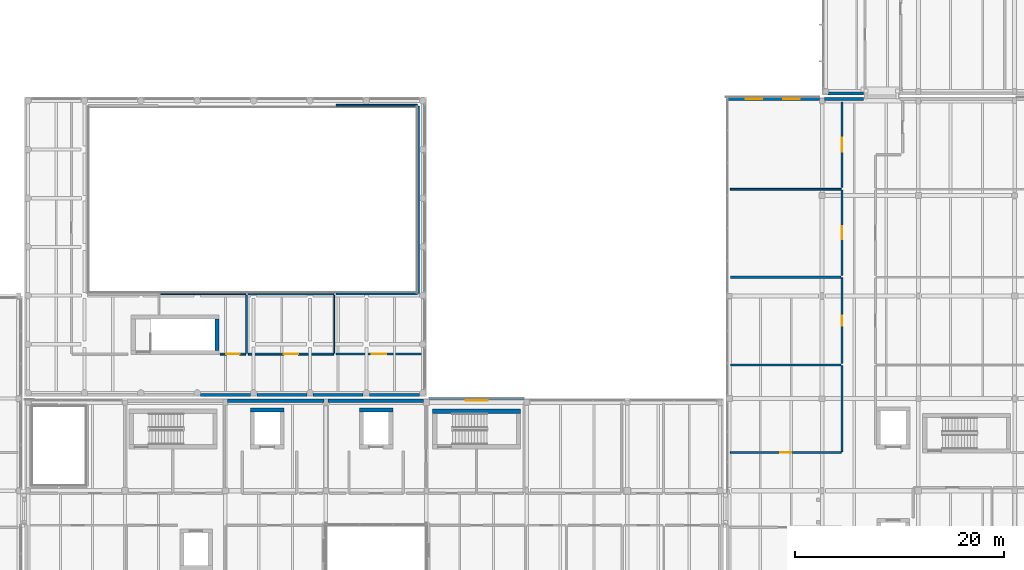
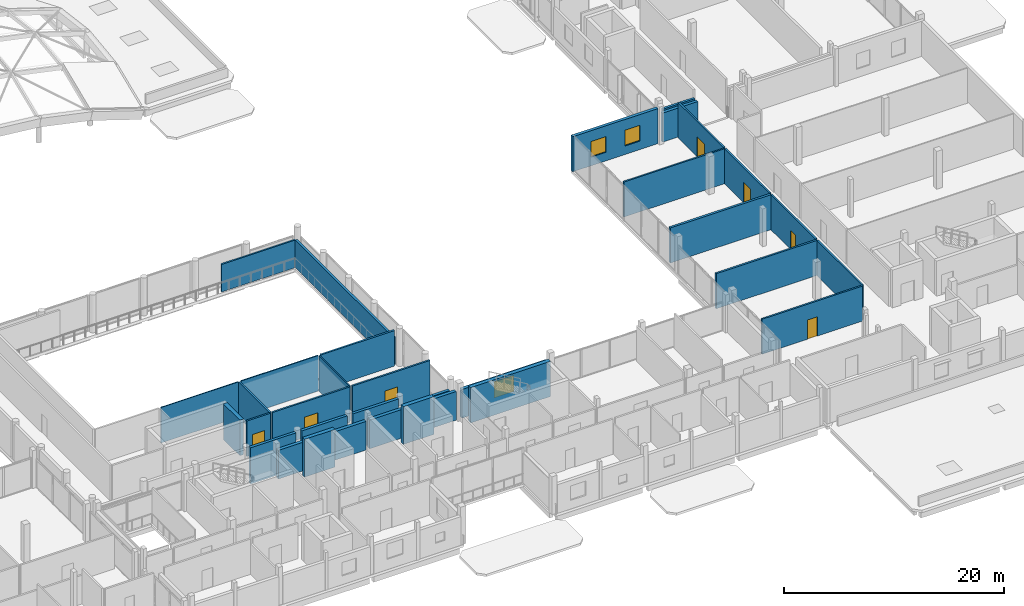
# One storey, part 45 of 66: 32 walls, 7 doors, 3 windows, 10 openings.
"""IFC4 building model written with IfcOpenShell, lengths in metres."""

from ifc_helpers import new_model, si_unit, direction, frame, frame_2d, origin, place, context, subcontext, project, spatial, rectangle, extrude, material, layer, layer_set, type_object, element, fill, save


model = new_model("IFC4")

# Units and contexts
model_context = context("Model", 3, precision=1e-05, world=origin(), true_north=direction((0.0, 1.0)))
body_context = subcontext(model_context, "Body", "Model", "MODEL_VIEW")
ifc_project = project(units=[si_unit("LENGTHUNIT", "METRE"), si_unit("AREAUNIT", "SQUARE_METRE"), si_unit("VOLUMEUNIT", "CUBIC_METRE"), si_unit("PLANEANGLEUNIT", "RADIAN"), si_unit("MASSUNIT", "GRAM", prefix="KILO")], contexts=[model_context])

# Site, building, storey
site_placement = place(None, origin())
site = spatial("IfcSite", under=ifc_project, at=site_placement, CompositionType="ELEMENT")
building_placement = place(site_placement, origin())
building = spatial("IfcBuilding", under=site, at=building_placement, Name="Birchvale Park Specialist Clinic", CompositionType="ELEMENT")
storey_placement = place(building_placement, frame((0.0, 0.0, 5.39990234375)))
storey = spatial("IfcBuildingStorey", under=building, at=storey_placement, Name="L01", CompositionType="ELEMENT", Elevation=5.39990234375)

# Walls
ifc_material_1 = material(Name="Concrete C40/50", Category="concrete")
ifc_layer_1 = layer(ifc_material_1, 0.39990234375)
ifc_layer_set_1 = layer_set([ifc_layer_1], Name="Concrete C40/50")
wall_type_1 = type_object("IfcWallType", Name="WL-CW-120", PredefinedType="SHEAR", material=ifc_layer_set_1)
wall_1_placement = place(storey_placement, frame((70.199951171875, 42.199951171875, 0.0), z_axis=(0.0, 0.0, 1.0), x_axis=(0.0, -1.0, 0.0)))
element("IfcWall", 1, at=wall_1_placement, inside=storey, type_object=wall_type_1, Name="L01 stair ST1 EI 120 enclosure wall (east)", PredefinedType="SHEAR", context=body_context, shape_type="SweptSolid", body=[
    extrude(rectangle(XDim=3.0, YDim=0.39990234375, at=frame_2d((1.5, 0.0))), origin(), (0.0, 0.0, 1.0), 3.9501953125),
])
wall_2_placement = place(storey_placement, frame((99.199951171875, 33.39990234375, 0.0), z_axis=(0.0, 0.0, 1.0), x_axis=(-1.0, 0.0, 0.0)))
element("IfcWall", 2, at=wall_2_placement, inside=storey, type_object=wall_type_1, Name="L01 stair ST5 EI 120 enclosure wall (north)", PredefinedType="SHEAR", context=body_context, shape_type="SweptSolid", body=[
    extrude(rectangle(XDim=8.39990234375, YDim=0.39990234375, at=frame_2d((4.199951171875, 0.0))), origin(), (0.0, 0.0, 1.0), 3.920166015625),
])
wall_3_placement = place(storey_placement, frame((76.60009765625, 33.5, 0.0), z_axis=(0.0, 0.0, 1.0), x_axis=(-1.0, 0.0, 0.0)))
element("IfcWall", 3, at=wall_3_placement, inside=storey, type_object=wall_type_1, Name="L01 lift LF1 shaft wall (north)", PredefinedType="SHEAR", context=body_context, shape_type="SweptSolid", body=[
    extrude(rectangle(XDim=3.2001953125, YDim=0.39990234375, at=frame_2d((1.60009765625, 0.0))), origin(), (0.0, 0.0, 1.0), 4.2001953125),
])
wall_4_placement = place(storey_placement, frame((87.0, 33.5, 0.0), z_axis=(0.0, 0.0, 1.0), x_axis=(-1.0, 0.0, 0.0)))
element("IfcWall", 4, at=wall_4_placement, inside=storey, type_object=wall_type_1, Name="L01 lift LF2 shaft wall (north)", PredefinedType="SHEAR", context=body_context, shape_type="SweptSolid", body=[
    extrude(rectangle(XDim=3.199951171875, YDim=0.39990234375, at=frame_2d((1.60009765625, 0.0))), origin(), (0.0, 0.0, 1.0), 4.2001953125),
])

# Wall, opening, window
ifc_material_2 = material(Name="Lime-white mineral-rendered insulated masonry", Category="masonry")
ifc_layer_2 = layer(ifc_material_2, 0.340087890625)
ifc_layer_set_2 = layer_set([ifc_layer_2], Name="Lime-white mineral-rendered insulated masonry")
wall_type_2 = type_object("IfcWallType", Name="WL-EW-01", PredefinedType="STANDARD", material=ifc_layer_set_2)
wall_5_placement = place(storey_placement, frame((99.5400390625, 34.409912109375, 0.0), z_axis=(0.0, 0.0, 1.0), x_axis=(-1.0, 0.0, 0.0)))
wall_5 = element("IfcWall", 5, at=wall_5_placement, inside=storey, type_object=wall_type_2, Name="V4 L01 exterior facade wall 153", PredefinedType="STANDARD", context=body_context, shape_type="SweptSolid", body=[
    extrude(rectangle(XDim=9.054931640625, YDim=0.340087890625, at=frame_2d((4.52734375, 0.0))), origin(), (0.0, 0.0, 1.0), 3.18505859375),
])
opening_1_placement = place(wall_5_placement, frame((3.4775390625, 0.0, 0.949951171875)))
opening_1 = element("IfcOpeningElement", 6, at=opening_1_placement, cuts=wall_5, Name="Opening W-CL07", PredefinedType="OPENING", context=body_context, shape_type="SweptSolid", body=[
    extrude(rectangle(XDim=2.10009765625, YDim=1.800048828125, at=frame_2d((1.050048828125, 0.89990234375))), frame((0.0, 0.18017578125, 0.0), z_axis=(0.0, -1.0, 0.0), x_axis=(1.0, 0.0, 0.0)), (0.0, 0.0, 1.0), 0.360107421875),
])
ifc_material_3 = material(Name="Solar-control low-E double glazing", Category="glass")
window_type_1 = type_object("IfcWindowType", Name="WIN-W-CL07", PartitioningType="SINGLE_PANEL", PredefinedType="WINDOW", material=ifc_material_3)
window_1_placement = place(opening_1_placement, origin())
window_1 = element("IfcWindow", 7, at=window_1_placement, inside=storey, type_object=window_type_1, Name="V4 L01 cased window 42", OverallHeight=1.800048828125, OverallWidth=2.10009765625, PartitioningType="SINGLE_PANEL", PredefinedType="WINDOW", context=body_context, shape_type="SweptSolid", body=[
    extrude(rectangle(XDim=2.10009765625, YDim=1.800048828125, at=frame_2d((1.050048828125, 0.89990234375))), frame((0.0, 0.030029296875, 0.0), z_axis=(0.0, -1.0, 0.0), x_axis=(1.0, 0.0, 0.0)), (0.0, 0.0, 1.0), 0.06005859375),
])
fill(opening_1, window_1)

# Walls
wall_6_placement = place(storey_placement, frame((89.9150390625, 34.409912109375, 0.0), z_axis=(0.0, 0.0, 1.0), x_axis=(-1.0, 0.0, 0.0)))
element("IfcWall", 8, at=wall_6_placement, inside=storey, type_object=wall_type_2, Name="V4 L01 exterior facade wall 154", PredefinedType="STANDARD", context=body_context, shape_type="SweptSolid", body=[
    extrude(rectangle(XDim=9.135009765625, YDim=0.340087890625, at=frame_2d((4.5673828125, 0.0))), origin(), (0.0, 0.0, 1.0), 3.18505859375),
])
wall_7_placement = place(storey_placement, frame((80.419921875, 34.409912109375, 0.0), z_axis=(0.0, 0.0, 1.0), x_axis=(-1.0, 0.0, 0.0)))
element("IfcWall", 9, at=wall_7_placement, inside=storey, type_object=wall_type_2, Name="V4 L01 exterior facade wall 155", PredefinedType="STANDARD", context=body_context, shape_type="SweptSolid", body=[
    extrude(rectangle(XDim=9.21484375, YDim=0.340087890625, at=frame_2d((4.607421875, 0.0))), origin(), (0.0, 0.0, 1.0), 3.18505859375),
])
ifc_layer_3 = layer(ifc_material_2, 0.31005859375)
ifc_layer_set_3 = layer_set([ifc_layer_3], Name="Lime-white mineral-rendered insulated masonry")
wall_type_3 = type_object("IfcWallType", Name="WL-EW-02", PredefinedType="STANDARD", material=ifc_layer_set_3)
wall_8_placement = place(storey_placement, frame((131.949951171875, 63.22509765625, 0.0), z_axis=(0.0, 0.0, 1.0), x_axis=(-1.0, 0.0, 0.0)))
element("IfcWall", 10, at=wall_8_placement, inside=storey, type_object=wall_type_3, Name="V5 L01 exterior facade wall 169", PredefinedType="STANDARD", context=body_context, shape_type="SweptSolid", body=[
    extrude(rectangle(XDim=3.71484375, YDim=0.31005859375, at=frame_2d((1.857421875, 0.0))), origin(), (0.0, 0.0, 1.0), 3.22021484375),
])

# Wall, openings, windows
wall_9_placement = place(storey_placement, frame((127.764892578125, 63.22509765625, 0.0), z_axis=(0.0, 0.0, 1.0), x_axis=(-1.0, 0.0, 0.0)))
wall_9 = element("IfcWall", 11, at=wall_9_placement, inside=storey, type_object=wall_type_3, Name="V5 L01 exterior facade wall 170", PredefinedType="STANDARD", context=body_context, shape_type="SweptSolid", body=[
    extrude(rectangle(XDim=8.96484375, YDim=0.31005859375, at=frame_2d((4.482421875, 0.0))), origin(), (0.0, 0.0, 1.0), 3.900146484375),
])
opening_2_placement = place(wall_9_placement, frame((1.889404296875, 0.0, 0.949951171875)))
opening_2 = element("IfcOpeningElement", 12, at=opening_2_placement, cuts=wall_9, Name="Opening W-CL04", PredefinedType="OPENING", context=body_context, shape_type="SweptSolid", body=[
    extrude(rectangle(XDim=1.60009765625, YDim=1.75, at=frame_2d((0.800048828125, 0.875))), frame((0.0, 0.1650390625, 0.0), z_axis=(0.0, -1.0, 0.0), x_axis=(1.0, 0.0, 0.0)), (0.0, 0.0, 1.0), 0.330078125),
])
opening_3_placement = place(wall_9_placement, frame((5.4755859375, 0.0, 0.949951171875)))
opening_3 = element("IfcOpeningElement", 13, at=opening_3_placement, cuts=wall_9, Name="Opening W-CL04", PredefinedType="OPENING", context=body_context, shape_type="SweptSolid", body=[
    extrude(rectangle(XDim=1.60009765625, YDim=1.75, at=frame_2d((0.800048828125, 0.875))), frame((0.0, 0.1650390625, 0.0), z_axis=(0.0, -1.0, 0.0), x_axis=(1.0, 0.0, 0.0)), (0.0, 0.0, 1.0), 0.330078125),
])
window_type_2 = type_object("IfcWindowType", Name="WIN-W-CL04", PartitioningType="SINGLE_PANEL", PredefinedType="WINDOW", material=ifc_material_3)
window_2_placement = place(opening_2_placement, origin())
window_2 = element("IfcWindow", 14, at=window_2_placement, inside=storey, type_object=window_type_2, Name="V5 L01 cased window 49", OverallHeight=1.75, OverallWidth=1.60009765625, PartitioningType="SINGLE_PANEL", PredefinedType="WINDOW", context=body_context, shape_type="SweptSolid", body=[
    extrude(rectangle(XDim=1.60009765625, YDim=1.75, at=frame_2d((0.800048828125, 0.875))), frame((0.0, 0.030029296875, 0.0), z_axis=(0.0, -1.0, 0.0), x_axis=(1.0, 0.0, 0.0)), (0.0, 0.0, 1.0), 0.06005859375),
])
fill(opening_2, window_2)
window_3_placement = place(opening_3_placement, origin())
window_3 = element("IfcWindow", 15, at=window_3_placement, inside=storey, type_object=window_type_2, Name="V5 L01 cased window 50", OverallHeight=1.75, OverallWidth=1.60009765625, PartitioningType="SINGLE_PANEL", PredefinedType="WINDOW", context=body_context, shape_type="SweptSolid", body=[
    extrude(rectangle(XDim=1.60009765625, YDim=1.75, at=frame_2d((0.800048828125, 0.875))), frame((0.0, 0.030029296875, 0.0), z_axis=(0.0, -1.0, 0.0), x_axis=(1.0, 0.0, 0.0)), (0.0, 0.0, 1.0), 0.06005859375),
])
fill(opening_3, window_3)

# Walls
ifc_layer_4 = layer(ifc_material_2, 0.2900390625)
ifc_layer_set_4 = layer_set([ifc_layer_4], Name="Lime-white mineral-rendered insulated masonry")
wall_type_4 = type_object("IfcWallType", Name="WL-EW-03", PredefinedType="STANDARD", material=ifc_layer_set_4)
for number, where, z_axis, x_axis, name in (
    (16, (68.612060546875, 34.965087890625, 0.0), (0.0, 0.0, 1.0), (1.0, 0.0, 0.0), "V1 L01 exterior facade wall 117"),
    (17, (73.997802734375, 34.965087890625, 0.0), (0.0, 0.0, 1.0), (1.0, 0.0, 0.0), "V1 L01 exterior facade wall 118"),
):
    element("IfcWall", number, at=place(storey_placement, frame(where, z_axis=z_axis, x_axis=x_axis)), inside=storey, type_object=wall_type_4, Name=name, PredefinedType="STANDARD", context=body_context, shape_type="SweptSolid", body=[
        extrude(rectangle(XDim=4.77587890625, YDim=0.2900390625, at=frame_2d((2.387939453125, 0.0))), origin(), (0.0, 0.0, 1.0), 4.02001953125),
    ])
wall_10_placement = place(storey_placement, frame((79.383544921875, 34.965087890625, 0.0), z_axis=(0.0, 0.0, 1.0), x_axis=(1.0, 0.0, 0.0)))
element("IfcWall", 18, at=wall_10_placement, inside=storey, type_object=wall_type_4, Name="V1 L01 exterior facade wall 119", PredefinedType="STANDARD", context=body_context, shape_type="SweptSolid", body=[
    extrude(rectangle(XDim=4.775634765625, YDim=0.2900390625, at=frame_2d((2.3876953125, 0.0))), origin(), (0.0, 0.0, 1.0), 4.02001953125),
])
wall_11_placement = place(storey_placement, frame((84.769287109375, 34.965087890625, 0.0), z_axis=(0.0, 0.0, 1.0), x_axis=(1.0, 0.0, 0.0)))
element("IfcWall", 19, at=wall_11_placement, inside=storey, type_object=wall_type_4, Name="V1 L01 exterior facade wall 120", PredefinedType="STANDARD", context=body_context, shape_type="SweptSolid", body=[
    extrude(rectangle(XDim=4.775634765625, YDim=0.2900390625, at=frame_2d((2.3876953125, 0.0))), origin(), (0.0, 0.0, 1.0), 3.065185546875),
])
ifc_layer_5 = layer(ifc_material_2, 0.25)
ifc_layer_set_5 = layer_set([ifc_layer_5], Name="Lime-white mineral-rendered insulated masonry")
wall_type_5 = type_object("IfcWallType", Name="WL-EW-05", PredefinedType="STANDARD", material=ifc_layer_set_5)
wall_12_placement = place(storey_placement, frame((128.5849609375, 63.7451171875, 0.0), z_axis=(0.0, 0.0, 1.0), x_axis=(1.0, 0.0, 0.0)))
element("IfcWall", 20, at=wall_12_placement, inside=storey, type_object=wall_type_5, Name="V6 L01 exterior facade wall 172", PredefinedType="STANDARD", context=body_context, shape_type="SweptSolid", body=[
    extrude(rectangle(XDim=3.364990234375, YDim=0.25, at=frame_2d((1.6826171875, 0.0))), origin(), (0.0, 0.0, 1.0), 3.195068359375),
])
ifc_material_4 = material(Name="Acoustic gypsum board on metal framing")
ifc_layer_6 = layer(ifc_material_4, 0.1650390625)
ifc_layer_set_6 = layer_set([ifc_layer_6], Name="Acoustic gypsum board on metal framing")
wall_type_6 = type_object("IfcWallType", Name="WL-IW-01", PredefinedType="PARTITIONING", material=ifc_layer_set_6)
wall_13_placement = place(storey_placement, frame((89.340087890625, 62.6201171875, 0.0), z_axis=(0.0, 0.0, 1.0), x_axis=(-1.0, 0.0, 0.0)))
element("IfcWall", 21, at=wall_13_placement, inside=storey, type_object=wall_type_6, Name="V1 L01 clinical partition 299", PredefinedType="PARTITIONING", context=body_context, shape_type="SweptSolid", body=[
    extrude(rectangle(XDim=7.76513671875, YDim=0.1650390625, at=frame_2d((3.882568359375, 0.0))), origin(), (0.0, 0.0, 1.0), 3.065185546875),
])
wall_14_placement = place(storey_placement, frame((119.239990234375, 54.6025390625, 0.0), z_axis=(0.0, 0.0, 1.0), x_axis=(1.0, 0.0, 0.0)))
element("IfcWall", 22, at=wall_14_placement, inside=storey, type_object=wall_type_6, Name="V5 L01 clinical partition 374", PredefinedType="PARTITIONING", context=body_context, shape_type="SweptSolid", body=[
    extrude(rectangle(XDim=10.580078125, YDim=0.1650390625, at=frame_2d((5.2900390625, 0.0))), origin(), (0.0, 0.0, 1.0), 3.900146484375),
])
ifc_layer_7 = layer(ifc_material_4, 0.114990234375)
ifc_layer_set_7 = layer_set([ifc_layer_7], Name="Acoustic gypsum board on metal framing")
wall_type_7 = type_object("IfcWallType", Name="WL-IW-05", PredefinedType="PARTITIONING", material=ifc_layer_set_7)
wall_15_placement = place(storey_placement, frame((73.18994140625, 44.580078125, 0.0), z_axis=(0.0, 0.0, 1.0), x_axis=(1.0, 0.0, 0.0)))
element("IfcWall", 23, at=wall_15_placement, inside=storey, type_object=wall_type_7, Name="V1 L01 clinical partition 294", PredefinedType="PARTITIONING", context=body_context, shape_type="SweptSolid", body=[
    extrude(rectangle(XDim=8.14501953125, YDim=0.114990234375, at=frame_2d((4.072509765625, 0.0))), origin(), (0.0, 0.0, 1.0), 3.9501953125),
])
ifc_layer_8 = layer(ifc_material_4, 0.10009765625)
ifc_layer_set_8 = layer_set([ifc_layer_8], Name="Acoustic gypsum board on metal framing")
wall_type_8 = type_object("IfcWallType", Name="WL-IW-06", PredefinedType="PARTITIONING", material=ifc_layer_set_8)
wall_16_placement = place(storey_placement, frame((64.804931640625, 44.580078125, 0.0), z_axis=(0.0, 0.0, 1.0), x_axis=(1.0, 0.0, 0.0)))
element("IfcWall", 24, at=wall_16_placement, inside=storey, type_object=wall_type_8, Name="V1 L01 clinical partition 291", PredefinedType="PARTITIONING", context=body_context, shape_type="SweptSolid", body=[
    extrude(rectangle(XDim=8.14501953125, YDim=0.10009765625, at=frame_2d((4.072509765625, 0.0))), origin(), (0.0, 0.0, 1.0), 3.9501953125),
])
wall_17_placement = place(storey_placement, frame((81.4150390625, 44.5, 0.0), z_axis=(0.0, 0.0, 1.0), x_axis=(0.0, -1.0, 0.0)))
element("IfcWall", 25, at=wall_17_placement, inside=storey, type_object=wall_type_8, Name="V1 L01 clinical partition 295", PredefinedType="PARTITIONING", context=body_context, shape_type="SweptSolid", body=[
    extrude(rectangle(XDim=5.570068359375, YDim=0.10009765625, at=frame_2d((2.78515625, 0.0))), origin(), (0.0, 0.0, 1.0), 3.9501953125),
])
ifc_layer_9 = layer(ifc_material_4, 0.195068359375)
ifc_layer_set_9 = layer_set([ifc_layer_9], Name="Acoustic gypsum board on metal framing")
wall_type_9 = type_object("IfcWallType", Name="WL-IW-07", PredefinedType="PARTITIONING", material=ifc_layer_set_9)
wall_18_placement = place(storey_placement, frame((73.030029296875, 44.5, 0.0), z_axis=(0.0, 0.0, 1.0), x_axis=(0.0, -1.0, 0.0)))
element("IfcWall", 26, at=wall_18_placement, inside=storey, type_object=wall_type_9, Name="V1 L01 clinical partition 292", PredefinedType="PARTITIONING", context=body_context, shape_type="SweptSolid", body=[
    extrude(rectangle(XDim=5.570068359375, YDim=0.195068359375, at=frame_2d((2.78515625, 0.0))), origin(), (0.0, 0.0, 1.0), 3.9501953125),
])
wall_19_placement = place(storey_placement, frame((81.574951171875, 44.580078125, 0.0), z_axis=(0.0, 0.0, 1.0), x_axis=(1.0, 0.0, 0.0)))
element("IfcWall", 27, at=wall_19_placement, inside=storey, type_object=wall_type_9, Name="V1 L01 clinical partition 297", PredefinedType="PARTITIONING", context=body_context, shape_type="SweptSolid", body=[
    extrude(rectangle(XDim=7.76513671875, YDim=0.195068359375, at=frame_2d((3.882568359375, 0.0))), origin(), (0.0, 0.0, 1.0), 3.9501953125),
])
wall_20_placement = place(storey_placement, frame((119.239990234375, 37.8076171875, 0.0), z_axis=(0.0, 0.0, 1.0), x_axis=(1.0, 0.0, 0.0)))
element("IfcWall", 28, at=wall_20_placement, inside=storey, type_object=wall_type_9, Name="V5 L01 clinical partition 369", PredefinedType="PARTITIONING", context=body_context, shape_type="SweptSolid", body=[
    extrude(rectangle(XDim=10.580078125, YDim=0.195068359375, at=frame_2d((5.2900390625, 0.0))), origin(), (0.0, 0.0, 1.0), 3.900146484375),
])
ifc_layer_10 = layer(ifc_material_4, 0.239990234375)
ifc_layer_set_10 = layer_set([ifc_layer_10], Name="Acoustic gypsum board on metal framing")
wall_type_10 = type_object("IfcWallType", Name="WL-IW-08", PredefinedType="PARTITIONING", material=ifc_layer_set_10)
wall_21_placement = place(storey_placement, frame((89.419921875, 44.659912109375, 0.0), z_axis=(0.0, 0.0, 1.0), x_axis=(0.0, 1.0, 0.0)))
element("IfcWall", 29, at=wall_21_placement, inside=storey, type_object=wall_type_10, Name="V1 L01 clinical partition 298", PredefinedType="PARTITIONING", context=body_context, shape_type="SweptSolid", body=[
    extrude(rectangle(XDim=17.880126953125, YDim=0.239990234375, at=frame_2d((8.93994140625, 0.0))), origin(), (0.0, 0.0, 1.0), 3.065185546875),
])
wall_22_placement = place(storey_placement, frame((119.239990234375, 46.205078125, 0.0), z_axis=(0.0, 0.0, 1.0), x_axis=(1.0, 0.0, 0.0)))
element("IfcWall", 30, at=wall_22_placement, inside=storey, type_object=wall_type_10, Name="V5 L01 clinical partition 372", PredefinedType="PARTITIONING", context=body_context, shape_type="SweptSolid", body=[
    extrude(rectangle(XDim=10.580078125, YDim=0.239990234375, at=frame_2d((5.2900390625, 0.0))), origin(), (0.0, 0.0, 1.0), 3.900146484375),
])

# Wall, opening, door
ifc_layer_11 = layer(ifc_material_4, 0.179931640625)
ifc_layer_set_11 = layer_set([ifc_layer_11], Name="Acoustic gypsum board on metal framing")
wall_type_11 = type_object("IfcWallType", Name="WL-IW-60", PredefinedType="PARTITIONING", material=ifc_layer_set_11)
wall_23_placement = place(storey_placement, frame((72.949951171875, 38.85009765625, 0.0), z_axis=(0.0, 0.0, 1.0), x_axis=(-1.0, 0.0, 0.0)))
wall_23 = element("IfcWall", 31, at=wall_23_placement, inside=storey, type_object=wall_type_11, Name="V1 L01 clinical partition 293", PredefinedType="PARTITIONING", context=body_context, shape_type="SweptSolid", body=[
    extrude(rectangle(XDim=2.449951171875, YDim=0.179931640625, at=frame_2d((1.22509765625, 0.0))), origin(), (0.0, 0.0, 1.0), 3.9501953125),
])
opening_4_placement = place(wall_23_placement, frame((0.5849609375, 0.0, 0.0)))
opening_4 = element("IfcOpeningElement", 32, at=opening_4_placement, cuts=wall_23, Name="Opening ID-05", PredefinedType="OPENING", context=body_context, shape_type="SweptSolid", body=[
    extrude(rectangle(XDim=1.280029296875, YDim=2.25, at=frame_2d((0.64013671875, 1.125))), frame((0.0, 0.10009765625, 0.0), z_axis=(0.0, -1.0, 0.0), x_axis=(1.0, 0.0, 0.0)), (0.0, 0.0, 1.0), 0.199951171875),
])
ifc_material_5 = material(Name="Solid-core birch veneer and anodised aluminium", Category="aluminium")
door_type_1 = type_object("IfcDoorType", Name="DR-ID-05", OperationType="NOTDEFINED", PredefinedType="DOOR", material=ifc_material_5)
door_1_placement = place(opening_4_placement, origin())
door_1 = element("IfcDoor", 33, at=door_1_placement, inside=storey, type_object=door_type_1, Name="L01 Biologics Day Treatment Bay door", OperationType="SINGLE_SWING_RIGHT", OverallHeight=2.25, OverallWidth=1.280029296875, PredefinedType="DOOR", context=body_context, shape_type="SweptSolid", body=[
    extrude(rectangle(XDim=1.280029296875, YDim=2.25, at=frame_2d((0.64013671875, 1.125))), frame((0.0, 0.02490234375, 0.0), z_axis=(0.0, -1.0, 0.0), x_axis=(1.0, 0.0, 0.0)), (0.0, 0.0, 1.0), 0.050048828125),
])
fill(opening_4, door_1)

wall_24_placement = place(storey_placement, frame((81.3349609375, 38.85009765625, 0.0), z_axis=(0.0, 0.0, 1.0), x_axis=(-1.0, 0.0, 0.0)))
wall_24 = element("IfcWall", 34, at=wall_24_placement, inside=storey, type_object=wall_type_11, Name="V1 L01 clinical partition 296", PredefinedType="PARTITIONING", context=body_context, shape_type="SweptSolid", body=[
    extrude(rectangle(XDim=8.14501953125, YDim=0.179931640625, at=frame_2d((4.072509765625, 0.0))), origin(), (0.0, 0.0, 1.0), 3.9501953125),
])
opening_5_placement = place(wall_24_placement, frame((3.382568359375, 0.0, 0.0)))
opening_5 = element("IfcOpeningElement", 35, at=opening_5_placement, cuts=wall_24, Name="Opening ID-06", PredefinedType="OPENING", context=body_context, shape_type="SweptSolid", body=[
    extrude(rectangle(XDim=1.3798828125, YDim=2.25, at=frame_2d((0.68994140625, 1.125))), frame((0.0, 0.10009765625, 0.0), z_axis=(0.0, -1.0, 0.0), x_axis=(1.0, 0.0, 0.0)), (0.0, 0.0, 1.0), 0.199951171875),
])
door_type_2 = type_object("IfcDoorType", Name="DR-ID-06", OperationType="NOTDEFINED", PredefinedType="DOOR", material=ifc_material_5)
door_2_placement = place(opening_5_placement, origin())
door_2 = element("IfcDoor", 36, at=door_2_placement, inside=storey, type_object=door_type_2, Name="L01 Oncology Sub-Waiting Lounge door", OperationType="SINGLE_SWING_LEFT", OverallHeight=2.25, OverallWidth=1.3798828125, PredefinedType="DOOR", context=body_context, shape_type="SweptSolid", body=[
    extrude(rectangle(XDim=1.3798828125, YDim=2.25, at=frame_2d((0.68994140625, 1.125))), frame((0.0, 0.02490234375, 0.0), z_axis=(0.0, -1.0, 0.0), x_axis=(1.0, 0.0, 0.0)), (0.0, 0.0, 1.0), 0.050048828125),
])
fill(opening_5, door_2)

wall_25_placement = place(storey_placement, frame((89.760009765625, 38.85009765625, 0.0), z_axis=(0.0, 0.0, 1.0), x_axis=(-1.0, 0.0, 0.0)))
wall_25 = element("IfcWall", 37, at=wall_25_placement, inside=storey, type_object=wall_type_11, Name="V1 L01 clinical partition 300", PredefinedType="PARTITIONING", context=body_context, shape_type="SweptSolid", body=[
    extrude(rectangle(XDim=8.18505859375, YDim=0.179931640625, at=frame_2d((4.092529296875, 0.0))), origin(), (0.0, 0.0, 1.0), 3.9501953125),
])
opening_6_placement = place(wall_25_placement, frame((3.41748046875, 0.0, 0.0)))
opening_6 = element("IfcOpeningElement", 38, at=opening_6_placement, cuts=wall_25, Name="Opening ID-FD30", PredefinedType="OPENING", context=body_context, shape_type="SweptSolid", body=[
    extrude(rectangle(XDim=1.35009765625, YDim=2.199951171875, at=frame_2d((0.675048828125, 1.10009765625))), frame((0.0, 0.10009765625, 0.0), z_axis=(0.0, -1.0, 0.0), x_axis=(1.0, 0.0, 0.0)), (0.0, 0.0, 1.0), 0.199951171875),
])
door_type_3 = type_object("IfcDoorType", Name="DR-ID-FD30", OperationType="NOTDEFINED", PredefinedType="DOOR", material=ifc_material_5)
door_3_placement = place(opening_6_placement, origin())
door_3 = element("IfcDoor", 39, at=door_3_placement, inside=storey, type_object=door_type_3, Name="L01 Infusion Pharmacy Satellite door", OperationType="SINGLE_SWING_RIGHT", OverallHeight=2.199951171875, OverallWidth=1.35009765625, PredefinedType="DOOR", context=body_context, shape_type="SweptSolid", body=[
    extrude(rectangle(XDim=1.35009765625, YDim=2.199951171875, at=frame_2d((0.675048828125, 1.10009765625))), frame((0.0, 0.02490234375, 0.0), z_axis=(0.0, -1.0, 0.0), x_axis=(1.0, 0.0, 0.0)), (0.0, 0.0, 1.0), 0.050048828125),
])
fill(opening_6, door_3)

# Wall
wall_26_placement = place(storey_placement, frame((129.89990234375, 37.7275390625, 0.0), z_axis=(0.0, 0.0, 1.0), x_axis=(0.0, -1.0, 0.0)))
element("IfcWall", 40, at=wall_26_placement, inside=storey, type_object=wall_type_11, Name="V5 L01 clinical partition 370", PredefinedType="PARTITIONING", context=body_context, shape_type="SweptSolid", body=[
    extrude(rectangle(XDim=8.197509765625, YDim=0.179931640625, at=frame_2d((4.0986328125, 0.0))), origin(), (0.0, 0.0, 1.0), 3.900146484375),
])

# Wall, opening, door
wall_27_placement = place(storey_placement, frame((129.820068359375, 29.449951171875, 0.0), z_axis=(0.0, 0.0, 1.0), x_axis=(-1.0, 0.0, 0.0)))
wall_27 = element("IfcWall", 41, at=wall_27_placement, inside=storey, type_object=wall_type_11, Name="V5 L01 clinical partition 371", PredefinedType="PARTITIONING", context=body_context, shape_type="SweptSolid", body=[
    extrude(rectangle(XDim=10.580078125, YDim=0.179931640625, at=frame_2d((5.2900390625, 0.0))), origin(), (0.0, 0.0, 1.0), 3.900146484375),
])
opening_7_placement = place(wall_27_placement, frame((4.77001953125, 0.0, 0.0)))
opening_7 = element("IfcOpeningElement", 42, at=opening_7_placement, cuts=wall_27, Name="Opening ID-02", PredefinedType="OPENING", context=body_context, shape_type="SweptSolid", body=[
    extrude(rectangle(XDim=1.0400390625, YDim=2.14990234375, at=frame_2d((0.52001953125, 1.074951171875))), frame((0.0, 0.10009765625, 0.0), z_axis=(0.0, -1.0, 0.0), x_axis=(1.0, 0.0, 0.0)), (0.0, 0.0, 1.0), 0.199951171875),
])
door_type_4 = type_object("IfcDoorType", Name="DR-ID-02", OperationType="NOTDEFINED", PredefinedType="DOOR", material=ifc_material_5)
door_4_placement = place(opening_7_placement, origin())
door_4 = element("IfcDoor", 43, at=door_4_placement, inside=storey, type_object=door_type_4, Name="L01 Post-Procedure Recovery Bay door", OperationType="SINGLE_SWING_LEFT", OverallHeight=2.14990234375, OverallWidth=1.0400390625, PredefinedType="DOOR", context=body_context, shape_type="SweptSolid", body=[
    extrude(rectangle(XDim=1.0400390625, YDim=2.14990234375, at=frame_2d((0.52001953125, 1.074951171875))), frame((0.0, 0.02490234375, 0.0), z_axis=(0.0, -1.0, 0.0), x_axis=(1.0, 0.0, 0.0)), (0.0, 0.0, 1.0), 0.050048828125),
])
fill(opening_7, door_4)

wall_28_placement = place(storey_placement, frame((129.89990234375, 46.125, 0.0), z_axis=(0.0, 0.0, 1.0), x_axis=(0.0, -1.0, 0.0)))
wall_28 = element("IfcWall", 44, at=wall_28_placement, inside=storey, type_object=wall_type_11, Name="V5 L01 clinical partition 373", PredefinedType="PARTITIONING", context=body_context, shape_type="SweptSolid", body=[
    extrude(rectangle(XDim=8.157470703125, YDim=0.179931640625, at=frame_2d((4.07861328125, 0.0))), origin(), (0.0, 0.0, 1.0), 3.900146484375),
])
opening_8_placement = place(wall_28_placement, frame((3.5986328125, 0.0, 0.0)))
opening_8 = element("IfcOpeningElement", 45, at=opening_8_placement, cuts=wall_28, Name="Opening ID-04", PredefinedType="OPENING", context=body_context, shape_type="SweptSolid", body=[
    extrude(rectangle(XDim=0.9599609375, YDim=2.10009765625, at=frame_2d((0.47998046875, 1.050048828125))), frame((0.0, 0.10009765625, 0.0), z_axis=(0.0, -1.0, 0.0), x_axis=(1.0, 0.0, 0.0)), (0.0, 0.0, 1.0), 0.199951171875),
])
door_type_5 = type_object("IfcDoorType", Name="DR-ID-04", OperationType="NOTDEFINED", PredefinedType="DOOR", material=ifc_material_5)
door_5_placement = place(opening_8_placement, origin())
door_5 = element("IfcDoor", 46, at=door_5_placement, inside=storey, type_object=door_type_5, Name="L01 Ambulatory Endoscopy Procedure Room door", OperationType="SINGLE_SWING_RIGHT", OverallHeight=2.10009765625, OverallWidth=0.9599609375, PredefinedType="DOOR", context=body_context, shape_type="SweptSolid", body=[
    extrude(rectangle(XDim=0.9599609375, YDim=2.10009765625, at=frame_2d((0.47998046875, 1.050048828125))), frame((0.0, 0.02490234375, 0.0), z_axis=(0.0, -1.0, 0.0), x_axis=(1.0, 0.0, 0.0)), (0.0, 0.0, 1.0), 0.050048828125),
])
fill(opening_8, door_5)

wall_29_placement = place(storey_placement, frame((129.89990234375, 54.5224609375, 0.0), z_axis=(0.0, 0.0, 1.0), x_axis=(0.0, -1.0, 0.0)))
wall_29 = element("IfcWall", 47, at=wall_29_placement, inside=storey, type_object=wall_type_11, Name="V5 L01 clinical partition 375", PredefinedType="PARTITIONING", context=body_context, shape_type="SweptSolid", body=[
    extrude(rectangle(XDim=8.157470703125, YDim=0.179931640625, at=frame_2d((4.07861328125, 0.0))), origin(), (0.0, 0.0, 1.0), 3.900146484375),
])
opening_9_placement = place(wall_29_placement, frame((3.438720703125, 0.0, 0.0)))
opening_9 = element("IfcOpeningElement", 48, at=opening_9_placement, cuts=wall_29, Name="Opening ID-05", PredefinedType="OPENING", context=body_context, shape_type="SweptSolid", body=[
    extrude(rectangle(XDim=1.280029296875, YDim=2.25, at=frame_2d((0.64013671875, 1.125))), frame((0.0, 0.10009765625, 0.0), z_axis=(0.0, -1.0, 0.0), x_axis=(1.0, 0.0, 0.0)), (0.0, 0.0, 1.0), 0.199951171875),
])
door_6_placement = place(opening_9_placement, origin())
door_6 = element("IfcDoor", 49, at=door_6_placement, inside=storey, type_object=door_type_1, Name="L01 Ambulatory Endoscopy Procedure Room door", OperationType="SINGLE_SWING_LEFT", OverallHeight=2.25, OverallWidth=1.280029296875, PredefinedType="DOOR", context=body_context, shape_type="SweptSolid", body=[
    extrude(rectangle(XDim=1.280029296875, YDim=2.25, at=frame_2d((0.64013671875, 1.125))), frame((0.0, 0.02490234375, 0.0), z_axis=(0.0, -1.0, 0.0), x_axis=(1.0, 0.0, 0.0)), (0.0, 0.0, 1.0), 0.050048828125),
])
fill(opening_9, door_6)

wall_30_placement = place(storey_placement, frame((129.89990234375, 62.9599609375, 0.0), z_axis=(0.0, 0.0, 1.0), x_axis=(0.0, -1.0, 0.0)))
wall_30 = element("IfcWall", 50, at=wall_30_placement, inside=storey, type_object=wall_type_11, Name="V5 L01 clinical partition 376", PredefinedType="PARTITIONING", context=body_context, shape_type="SweptSolid", body=[
    extrude(rectangle(XDim=8.197509765625, YDim=0.179931640625, at=frame_2d((4.0986328125, 0.0))), origin(), (0.0, 0.0, 1.0), 3.900146484375),
])
opening_10_placement = place(wall_30_placement, frame((3.423583984375, 0.0, 0.0)))
opening_10 = element("IfcOpeningElement", 51, at=opening_10_placement, cuts=wall_30, Name="Opening ID-FD30", PredefinedType="OPENING", context=body_context, shape_type="SweptSolid", body=[
    extrude(rectangle(XDim=1.35009765625, YDim=2.199951171875, at=frame_2d((0.675048828125, 1.10009765625))), frame((0.0, 0.10009765625, 0.0), z_axis=(0.0, -1.0, 0.0), x_axis=(1.0, 0.0, 0.0)), (0.0, 0.0, 1.0), 0.199951171875),
])
door_7_placement = place(opening_10_placement, origin())
door_7 = element("IfcDoor", 52, at=door_7_placement, inside=storey, type_object=door_type_3, Name="L01 Scope Decontamination Cleanroom door", OperationType="SINGLE_SWING_RIGHT", OverallHeight=2.199951171875, OverallWidth=1.35009765625, PredefinedType="DOOR", context=body_context, shape_type="SweptSolid", body=[
    extrude(rectangle(XDim=1.35009765625, YDim=2.199951171875, at=frame_2d((0.675048828125, 1.10009765625))), frame((0.0, 0.02490234375, 0.0), z_axis=(0.0, -1.0, 0.0), x_axis=(1.0, 0.0, 0.0)), (0.0, 0.0, 1.0), 0.050048828125),
])
fill(opening_10, door_7)

save(model, "model.ifc")
